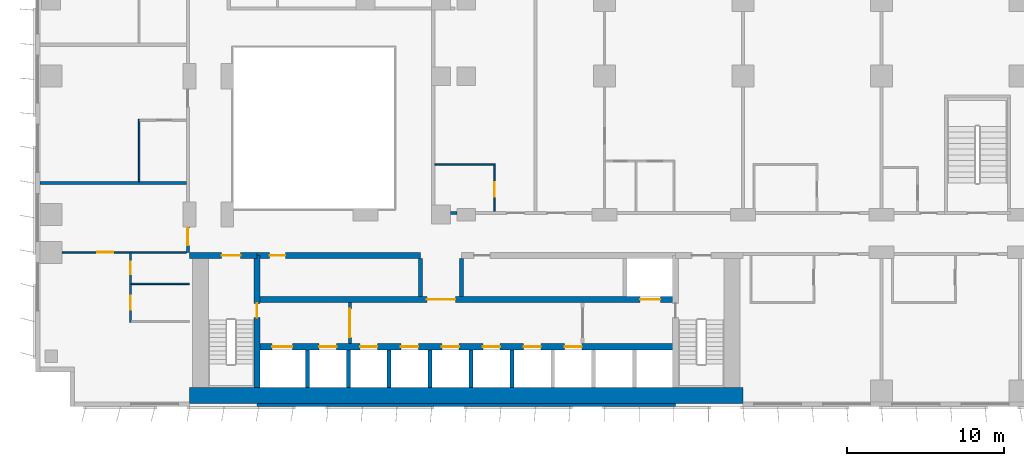
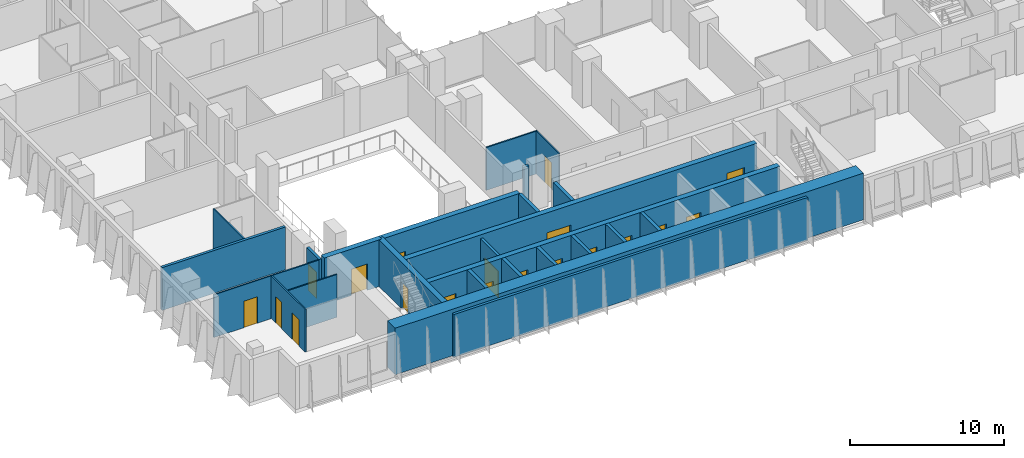
# One storey, part 12 of 24: 25 walls, 19 doors, 19 openings.
"""IFC4 building model written with IfcOpenShell, lengths in metres."""

from ifc_helpers import new_model, si_unit, direction, frame, frame_2d, origin, place, context, subcontext, project, spatial, rectangle, extrude, material, layer, layer_set, type_object, element, fill, save


model = new_model("IFC4")

# Units and contexts
model_context = context("Model", 3, precision=1e-05, world=origin(), true_north=direction((0.0, 1.0)))
body_context = subcontext(model_context, "Body", "Model", "MODEL_VIEW")
ifc_project = project(units=[si_unit("LENGTHUNIT", "METRE"), si_unit("AREAUNIT", "SQUARE_METRE"), si_unit("VOLUMEUNIT", "CUBIC_METRE"), si_unit("PLANEANGLEUNIT", "RADIAN"), si_unit("MASSUNIT", "GRAM", prefix="KILO")], contexts=[model_context])

# Site, building, storey
site_placement = place(None, origin())
site = spatial("IfcSite", under=ifc_project, at=site_placement, CompositionType="ELEMENT")
building_placement = place(site_placement, origin())
building = spatial("IfcBuilding", under=site, at=building_placement, Name="Kemantara Hotel Tower", CompositionType="ELEMENT")
storey_placement = place(building_placement, frame((0.0, 0.0, 45.10009765625)))
storey = spatial("IfcBuildingStorey", under=building, at=storey_placement, Name="L09", CompositionType="ELEMENT", Elevation=45.10009765625)

# Walls
ifc_material_1 = material(Name="Bronze anodised aluminium cladding on insulated steel stud wall", Category="steel")
ifc_layer_1 = layer(ifc_material_1, 0.199951171875)
ifc_layer_set_1 = layer_set([ifc_layer_1], Name="Bronze anodised aluminium cladding on insulated steel stud wall")
wall_type_1 = type_object("IfcWallType", Name="BRONZE METAL-CLAD EXTERNAL WALL 200", PredefinedType="STANDARD", material=ifc_layer_set_1)
wall_1_placement = place(storey_placement, frame((14.10009765625, 0.10009765625, 0.0), z_axis=(0.0, 0.0, 1.0), x_axis=(1.0, 0.0, 0.0)))
element("IfcWall", 1, at=wall_1_placement, inside=storey, type_object=wall_type_1, Name="EXTERNAL WALL L09 T1-R01-2", PredefinedType="STANDARD", context=body_context, shape_type="SweptSolid", body=[
    extrude(rectangle(XDim=26.599853515625, YDim=0.199951171875, at=frame_2d((13.2998046875, 0.0))), origin(), (0.0, 0.0, 1.0), 3.39990234375),
])
ifc_material_2 = material(Name="Concrete fc 70 MPa", Category="concrete")
ifc_layer_2 = layer(ifc_material_2, 1.0)
ifc_layer_set_2 = layer_set([ifc_layer_2], Name="Concrete fc 70 MPa")
wall_type_2 = type_object("IfcWallType", Name="CORE WALL 1000 FC70", PredefinedType="SHEAR", material=ifc_layer_set_2)
wall_2_placement = place(storey_placement, frame((9.800048828125, 0.699951171875, 0.0), z_axis=(0.0, 0.0, 1.0), x_axis=(1.0, 0.0, 0.0)))
element("IfcWall", 2, at=wall_2_placement, inside=storey, type_object=wall_type_2, Name="CORE WALL CW-S", PredefinedType="SHEAR", context=body_context, shape_type="SweptSolid", body=[
    extrude(rectangle(XDim=35.199951171875, YDim=1.0, at=frame_2d((17.60009765625, 0.0))), origin(), (0.0, 0.0, 1.0), 3.699951171875),
])
ifc_layer_3 = layer(ifc_material_2, 0.25)
ifc_layer_set_3 = layer_set([ifc_layer_3], Name="Concrete fc 70 MPa")
wall_type_3 = type_object("IfcWallType", Name="CORE WALL 250 FC70", PredefinedType="SHEAR", material=ifc_layer_set_3)
for number, where, z_axis, x_axis, name in (
    (3, (17.300048828125, 1.199951171875, 0.0), (0.0, 0.0, 1.0), (0.0, 1.0, 0.0), "CORE WALL CW-DS17.3"),
    (4, (19.89990234375, 1.199951171875, 0.0), (0.0, 0.0, 1.0), (0.0, 1.0, 0.0), "CORE WALL CW-DS19.9"),
    (5, (22.5, 1.199951171875, 0.0), (0.0, 0.0, 1.0), (0.0, 1.0, 0.0), "CORE WALL CW-DS22.5"),
    (6, (25.10009765625, 1.199951171875, 0.0), (0.0, 0.0, 1.0), (0.0, 1.0, 0.0), "CORE WALL CW-DS25.1"),
    (7, (27.699951171875, 1.199951171875, 0.0), (0.0, 0.0, 1.0), (0.0, 1.0, 0.0), "CORE WALL CW-DS27.7"),
    (8, (30.300048828125, 1.199951171875, 0.0), (0.0, 0.0, 1.0), (0.0, 1.0, 0.0), "CORE WALL CW-DS30.3"),
):
    element("IfcWall", number, at=place(storey_placement, frame(where, z_axis=z_axis, x_axis=x_axis)), inside=storey, type_object=wall_type_3, Name=name, PredefinedType="SHEAR", context=body_context, shape_type="SweptSolid", body=[
        extrude(rectangle(XDim=2.400146484375, YDim=0.25, at=frame_2d((1.2001953125, 0.0))), origin(), (0.0, 0.0, 1.0), 3.699951171875),
    ])
for number, where, z_axis, x_axis, name in (
    (9, (24.5, 7.0, 0.0), (0.0, 0.0, 1.0), (0.0, 1.0, 0.0), "CORE WALL CW-DN24.5"),
    (10, (27.10009765625, 7.0, 0.0), (0.0, 0.0, 1.0), (0.0, 1.0, 0.0), "CORE WALL CW-DN27.1"),
):
    element("IfcWall", number, at=place(storey_placement, frame(where, z_axis=z_axis, x_axis=x_axis)), inside=storey, type_object=wall_type_3, Name=name, PredefinedType="SHEAR", context=body_context, shape_type="SweptSolid", body=[
        extrude(rectangle(XDim=2.39990234375, YDim=0.25, at=frame_2d((1.199951171875, 0.0))), origin(), (0.0, 0.0, 1.0), 3.699951171875),
    ])

# Wall, opening, door
ifc_layer_4 = layer(ifc_material_2, 0.39990234375)
ifc_layer_set_4 = layer_set([ifc_layer_4], Name="Concrete fc 70 MPa")
wall_type_4 = type_object("IfcWallType", Name="CORE WALL 400 FC70", PredefinedType="SHEAR", material=ifc_layer_set_4)
wall_3_placement = place(storey_placement, frame((9.800048828125, 9.60009765625, 0.0), z_axis=(0.0, 0.0, 1.0), x_axis=(1.0, 0.0, 0.0)))
wall_3 = element("IfcWall", 11, at=wall_3_placement, inside=storey, type_object=wall_type_4, Name="CORE WALL CW-N1", PredefinedType="SHEAR", context=body_context, shape_type="SweptSolid", body=[
    extrude(rectangle(XDim=4.300048828125, YDim=0.39990234375, at=frame_2d((2.14990234375, 0.0))), origin(), (0.0, 0.0, 1.0), 3.699951171875),
])
opening_1_placement = place(wall_3_placement, frame((2.050048828125, 0.0, 0.0)))
opening_1 = element("IfcOpeningElement", 12, at=opening_1_placement, cuts=wall_3, Name="Opening C09-ST1-C", PredefinedType="OPENING", context=body_context, shape_type="SweptSolid", body=[
    extrude(rectangle(XDim=1.199951171875, YDim=2.10009765625, at=frame_2d((0.60009765625, 1.050048828125))), frame((0.0, 0.2099609375, 0.0), z_axis=(0.0, -1.0, 0.0), x_axis=(1.0, 0.0, 0.0)), (0.0, 0.0, 1.0), 0.419921875),
])
ifc_material_3 = material(Name="Steel fire door", Category="steel")
door_type_1 = type_object("IfcDoorType", Name="Fire door FD90 1200 x 2100", OperationType="NOTDEFINED", PredefinedType="DOOR", material=ifc_material_3)
door_1_placement = place(opening_1_placement, frame((1.199951171875, 0.0, 0.0), z_axis=(0.0, 0.0, 1.0), x_axis=(-1.0, 0.0, 0.0)))
door_1 = element("IfcDoor", 13, at=door_1_placement, inside=storey, type_object=door_type_1, Name="Stair ST1 door to corridor", OperationType="SINGLE_SWING_LEFT", OverallHeight=2.10009765625, OverallWidth=1.199951171875, PredefinedType="DOOR", context=body_context, shape_type="SweptSolid", body=[
    extrude(rectangle(XDim=1.199951171875, YDim=2.10009765625, at=frame_2d((0.60009765625, 1.050048828125))), frame((0.0, 0.02490234375, 0.0), z_axis=(0.0, -1.0, 0.0), x_axis=(1.0, 0.0, 0.0)), (0.0, 0.0, 1.0), 0.050048828125),
])
fill(opening_1, door_1)

wall_4_placement = place(storey_placement, frame((14.10009765625, 9.60009765625, 0.0), z_axis=(0.0, 0.0, 1.0), x_axis=(1.0, 0.0, 0.0)))
wall_4 = element("IfcWall", 14, at=wall_4_placement, inside=storey, type_object=wall_type_4, Name="CORE WALL CW-NN1", PredefinedType="SHEAR", context=body_context, shape_type="SweptSolid", body=[
    extrude(rectangle(XDim=10.39990234375, YDim=0.39990234375, at=frame_2d((5.199951171875, 0.0))), origin(), (0.0, 0.0, 1.0), 3.699951171875),
])
opening_2_placement = place(wall_4_placement, frame((0.800048828125, 0.0, 0.0)))
opening_2 = element("IfcOpeningElement", 15, at=opening_2_placement, cuts=wall_4, Name="Opening C09-R-NW1", PredefinedType="OPENING", context=body_context, shape_type="SweptSolid", body=[
    extrude(rectangle(XDim=1.0, YDim=2.10009765625, at=frame_2d((0.5, 1.050048828125))), frame((0.0, 0.2099609375, 0.0), z_axis=(0.0, -1.0, 0.0), x_axis=(1.0, 0.0, 0.0)), (0.0, 0.0, 1.0), 0.419921875),
])
door_type_2 = type_object("IfcDoorType", Name="Fire door FD30S 1000 x 2100", OperationType="NOTDEFINED", PredefinedType="DOOR", material=ifc_material_3)
door_2_placement = place(opening_2_placement, frame((1.0, 0.0, 0.0), z_axis=(0.0, 0.0, 1.0), x_axis=(-1.0, 0.0, 0.0)))
door_2 = element("IfcDoor", 16, at=door_2_placement, inside=storey, type_object=door_type_2, Name="Housekeeping Store door", OperationType="SINGLE_SWING_RIGHT", OverallHeight=2.10009765625, OverallWidth=1.0, PredefinedType="DOOR", context=body_context, shape_type="SweptSolid", body=[
    extrude(rectangle(XDim=1.0, YDim=2.10009765625, at=frame_2d((0.5, 1.050048828125))), frame((0.0, 0.02490234375, 0.0), z_axis=(0.0, -1.0, 0.0), x_axis=(1.0, 0.0, 0.0)), (0.0, 0.0, 1.0), 0.050048828125),
])
fill(opening_2, door_2)

# Wall, openings, doors
wall_5_placement = place(storey_placement, frame((14.10009765625, 3.800048828125, 0.0), z_axis=(0.0, 0.0, 1.0), x_axis=(1.0, 0.0, 0.0)))
wall_5 = element("IfcWall", 17, at=wall_5_placement, inside=storey, type_object=wall_type_4, Name="CORE WALL CW-L1", PredefinedType="SHEAR", context=body_context, shape_type="SweptSolid", body=[
    extrude(rectangle(XDim=26.599853515625, YDim=0.39990234375, at=frame_2d((13.2998046875, 0.0))), origin(), (0.0, 0.0, 1.0), 3.699951171875),
])
opening_3_placement = place(wall_5_placement, frame((0.949951171875, 0.0, 0.0)))
opening_3 = element("IfcOpeningElement", 18, at=opening_3_placement, cuts=wall_5, Name="Opening C09-LD-FF1", PredefinedType="OPENING", context=body_context, shape_type="SweptSolid", body=[
    extrude(rectangle(XDim=1.300048828125, YDim=2.10009765625, at=frame_2d((0.64990234375, 1.050048828125))), frame((0.0, 0.2099609375, 0.0), z_axis=(0.0, -1.0, 0.0), x_axis=(1.0, 0.0, 0.0)), (0.0, 0.0, 1.0), 0.419921875),
])
opening_4_placement = place(wall_5_placement, frame((3.949951171875, 0.0, 0.0)))
opening_4 = element("IfcOpeningElement", 19, at=opening_4_placement, cuts=wall_5, Name="Opening C09-LD-SV1", PredefinedType="OPENING", context=body_context, shape_type="SweptSolid", body=[
    extrude(rectangle(XDim=1.10009765625, YDim=2.10009765625, at=frame_2d((0.550048828125, 1.050048828125))), frame((0.0, 0.2099609375, 0.0), z_axis=(0.0, -1.0, 0.0), x_axis=(1.0, 0.0, 0.0)), (0.0, 0.0, 1.0), 0.419921875),
])
opening_5_placement = place(wall_5_placement, frame((6.550048828125, 0.0, 0.0)))
opening_5 = element("IfcOpeningElement", 20, at=opening_5_placement, cuts=wall_5, Name="Opening C09-LD-SV2", PredefinedType="OPENING", context=body_context, shape_type="SweptSolid", body=[
    extrude(rectangle(XDim=1.10009765625, YDim=2.10009765625, at=frame_2d((0.550048828125, 1.050048828125))), frame((0.0, 0.2099609375, 0.0), z_axis=(0.0, -1.0, 0.0), x_axis=(1.0, 0.0, 0.0)), (0.0, 0.0, 1.0), 0.419921875),
])
opening_6_placement = place(wall_5_placement, frame((9.14990234375, 0.0, 0.0)))
opening_6 = element("IfcOpeningElement", 21, at=opening_6_placement, cuts=wall_5, Name="Opening C09-LD-SV3", PredefinedType="OPENING", context=body_context, shape_type="SweptSolid", body=[
    extrude(rectangle(XDim=1.10009765625, YDim=2.10009765625, at=frame_2d((0.550048828125, 1.050048828125))), frame((0.0, 0.2099609375, 0.0), z_axis=(0.0, -1.0, 0.0), x_axis=(1.0, 0.0, 0.0)), (0.0, 0.0, 1.0), 0.419921875),
])
opening_7_placement = place(wall_5_placement, frame((11.75, 0.0, 0.0)))
opening_7 = element("IfcOpeningElement", 22, at=opening_7_placement, cuts=wall_5, Name="Opening C09-LD-LR1", PredefinedType="OPENING", context=body_context, shape_type="SweptSolid", body=[
    extrude(rectangle(XDim=1.10009765625, YDim=2.10009765625, at=frame_2d((0.550048828125, 1.050048828125))), frame((0.0, 0.2099609375, 0.0), z_axis=(0.0, -1.0, 0.0), x_axis=(1.0, 0.0, 0.0)), (0.0, 0.0, 1.0), 0.419921875),
])
opening_8_placement = place(wall_5_placement, frame((14.35009765625, 0.0, 0.0)))
opening_8 = element("IfcOpeningElement", 23, at=opening_8_placement, cuts=wall_5, Name="Opening C09-LD-LR2", PredefinedType="OPENING", context=body_context, shape_type="SweptSolid", body=[
    extrude(rectangle(XDim=1.10009765625, YDim=2.10009765625, at=frame_2d((0.550048828125, 1.050048828125))), frame((0.0, 0.2099609375, 0.0), z_axis=(0.0, -1.0, 0.0), x_axis=(1.0, 0.0, 0.0)), (0.0, 0.0, 1.0), 0.419921875),
])
opening_9_placement = place(wall_5_placement, frame((16.949951171875, 0.0, 0.0)))
opening_9 = element("IfcOpeningElement", 24, at=opening_9_placement, cuts=wall_5, Name="Opening C09-LD-LR3", PredefinedType="OPENING", context=body_context, shape_type="SweptSolid", body=[
    extrude(rectangle(XDim=1.10009765625, YDim=2.10009765625, at=frame_2d((0.550048828125, 1.050048828125))), frame((0.0, 0.2099609375, 0.0), z_axis=(0.0, -1.0, 0.0), x_axis=(1.0, 0.0, 0.0)), (0.0, 0.0, 1.0), 0.419921875),
])
opening_10_placement = place(wall_5_placement, frame((19.550048828125, 0.0, 0.0)))
opening_10 = element("IfcOpeningElement", 25, at=opening_10_placement, cuts=wall_5, Name="Opening C09-LD-LR4", PredefinedType="OPENING", context=body_context, shape_type="SweptSolid", body=[
    extrude(rectangle(XDim=1.10009765625, YDim=2.10009765625, at=frame_2d((0.550048828125, 1.050048828125))), frame((0.0, 0.2099609375, 0.0), z_axis=(0.0, -1.0, 0.0), x_axis=(1.0, 0.0, 0.0)), (0.0, 0.0, 1.0), 0.419921875),
])
ifc_material_4 = material(Name="Stainless steel lift door", Category="steel")
door_type_3 = type_object("IfcDoorType", Name="Lift landing door 1100 x 2100 FD60", OperationType="DOUBLE_DOOR_SLIDING", PredefinedType="DOOR", material=ifc_material_4)
door_3_placement = place(opening_4_placement, origin())
door_3 = element("IfcDoor", 26, at=door_3_placement, inside=storey, type_object=door_type_3, Name="Lift SV1 landing door", OperationType="DOUBLE_DOOR_SLIDING", OverallHeight=2.10009765625, OverallWidth=1.10009765625, PredefinedType="DOOR", context=body_context, shape_type="SweptSolid", body=[
    extrude(rectangle(XDim=1.10009765625, YDim=2.10009765625, at=frame_2d((0.550048828125, 1.050048828125))), frame((0.0, 0.02490234375, 0.0), z_axis=(0.0, -1.0, 0.0), x_axis=(1.0, 0.0, 0.0)), (0.0, 0.0, 1.0), 0.050048828125),
])
fill(opening_4, door_3)
door_4_placement = place(opening_5_placement, origin())
door_4 = element("IfcDoor", 27, at=door_4_placement, inside=storey, type_object=door_type_3, Name="Lift SV2 landing door", OperationType="DOUBLE_DOOR_SLIDING", OverallHeight=2.10009765625, OverallWidth=1.10009765625, PredefinedType="DOOR", context=body_context, shape_type="SweptSolid", body=[
    extrude(rectangle(XDim=1.10009765625, YDim=2.10009765625, at=frame_2d((0.550048828125, 1.050048828125))), frame((0.0, 0.02490234375, 0.0), z_axis=(0.0, -1.0, 0.0), x_axis=(1.0, 0.0, 0.0)), (0.0, 0.0, 1.0), 0.050048828125),
])
fill(opening_5, door_4)
door_5_placement = place(opening_6_placement, origin())
door_5 = element("IfcDoor", 28, at=door_5_placement, inside=storey, type_object=door_type_3, Name="Lift SV3 landing door", OperationType="DOUBLE_DOOR_SLIDING", OverallHeight=2.10009765625, OverallWidth=1.10009765625, PredefinedType="DOOR", context=body_context, shape_type="SweptSolid", body=[
    extrude(rectangle(XDim=1.10009765625, YDim=2.10009765625, at=frame_2d((0.550048828125, 1.050048828125))), frame((0.0, 0.02490234375, 0.0), z_axis=(0.0, -1.0, 0.0), x_axis=(1.0, 0.0, 0.0)), (0.0, 0.0, 1.0), 0.050048828125),
])
fill(opening_6, door_5)
door_6_placement = place(opening_7_placement, origin())
door_6 = element("IfcDoor", 29, at=door_6_placement, inside=storey, type_object=door_type_3, Name="Lift LR1 landing door", OperationType="DOUBLE_DOOR_SLIDING", OverallHeight=2.10009765625, OverallWidth=1.10009765625, PredefinedType="DOOR", context=body_context, shape_type="SweptSolid", body=[
    extrude(rectangle(XDim=1.10009765625, YDim=2.10009765625, at=frame_2d((0.550048828125, 1.050048828125))), frame((0.0, 0.02490234375, 0.0), z_axis=(0.0, -1.0, 0.0), x_axis=(1.0, 0.0, 0.0)), (0.0, 0.0, 1.0), 0.050048828125),
])
fill(opening_7, door_6)
door_7_placement = place(opening_8_placement, origin())
door_7 = element("IfcDoor", 30, at=door_7_placement, inside=storey, type_object=door_type_3, Name="Lift LR2 landing door", OperationType="DOUBLE_DOOR_SLIDING", OverallHeight=2.10009765625, OverallWidth=1.10009765625, PredefinedType="DOOR", context=body_context, shape_type="SweptSolid", body=[
    extrude(rectangle(XDim=1.10009765625, YDim=2.10009765625, at=frame_2d((0.550048828125, 1.050048828125))), frame((0.0, 0.02490234375, 0.0), z_axis=(0.0, -1.0, 0.0), x_axis=(1.0, 0.0, 0.0)), (0.0, 0.0, 1.0), 0.050048828125),
])
fill(opening_8, door_7)
door_8_placement = place(opening_9_placement, origin())
door_8 = element("IfcDoor", 31, at=door_8_placement, inside=storey, type_object=door_type_3, Name="Lift LR3 landing door", OperationType="DOUBLE_DOOR_SLIDING", OverallHeight=2.10009765625, OverallWidth=1.10009765625, PredefinedType="DOOR", context=body_context, shape_type="SweptSolid", body=[
    extrude(rectangle(XDim=1.10009765625, YDim=2.10009765625, at=frame_2d((0.550048828125, 1.050048828125))), frame((0.0, 0.02490234375, 0.0), z_axis=(0.0, -1.0, 0.0), x_axis=(1.0, 0.0, 0.0)), (0.0, 0.0, 1.0), 0.050048828125),
])
fill(opening_9, door_8)
door_9_placement = place(opening_10_placement, origin())
door_9 = element("IfcDoor", 32, at=door_9_placement, inside=storey, type_object=door_type_3, Name="Lift LR4 landing door", OperationType="DOUBLE_DOOR_SLIDING", OverallHeight=2.10009765625, OverallWidth=1.10009765625, PredefinedType="DOOR", context=body_context, shape_type="SweptSolid", body=[
    extrude(rectangle(XDim=1.10009765625, YDim=2.10009765625, at=frame_2d((0.550048828125, 1.050048828125))), frame((0.0, 0.02490234375, 0.0), z_axis=(0.0, -1.0, 0.0), x_axis=(1.0, 0.0, 0.0)), (0.0, 0.0, 1.0), 0.050048828125),
])
fill(opening_10, door_9)
door_type_4 = type_object("IfcDoorType", Name="Lift landing door 1300 x 2100 FD90", OperationType="DOUBLE_DOOR_SLIDING", PredefinedType="DOOR", material=ifc_material_4)
door_10_placement = place(opening_3_placement, origin())
door_10 = element("IfcDoor", 33, at=door_10_placement, inside=storey, type_object=door_type_4, Name="Lift FF1 landing door", OperationType="DOUBLE_DOOR_SLIDING", OverallHeight=2.10009765625, OverallWidth=1.300048828125, PredefinedType="DOOR", context=body_context, shape_type="SweptSolid", body=[
    extrude(rectangle(XDim=1.300048828125, YDim=2.10009765625, at=frame_2d((0.64990234375, 1.050048828125))), frame((0.0, 0.02490234375, 0.0), z_axis=(0.0, -1.0, 0.0), x_axis=(1.0, 0.0, 0.0)), (0.0, 0.0, 1.0), 0.050048828125),
])
fill(opening_3, door_10)

wall_6_placement = place(storey_placement, frame((14.10009765625, 6.800048828125, 0.0), z_axis=(0.0, 0.0, 1.0), x_axis=(1.0, 0.0, 0.0)))
wall_6 = element("IfcWall", 34, at=wall_6_placement, inside=storey, type_object=wall_type_4, Name="CORE WALL CW-L2", PredefinedType="SHEAR", context=body_context, shape_type="SweptSolid", body=[
    extrude(rectangle(XDim=26.599853515625, YDim=0.39990234375, at=frame_2d((13.2998046875, 0.0))), origin(), (0.0, 0.0, 1.0), 3.699951171875),
])
opening_11_placement = place(wall_6_placement, frame((10.800048828125, 0.0, 0.0)))
opening_11 = element("IfcOpeningElement", 35, at=opening_11_placement, cuts=wall_6, Name="Opening C09-VL", PredefinedType="OPENING", context=body_context, shape_type="SweptSolid", body=[
    extrude(rectangle(XDim=1.800048828125, YDim=2.10009765625, at=frame_2d((0.89990234375, 1.050048828125))), frame((0.0, 0.2099609375, 0.0), z_axis=(0.0, -1.0, 0.0), x_axis=(1.0, 0.0, 0.0)), (0.0, 0.0, 1.0), 0.419921875),
])
opening_12_placement = place(wall_6_placement, frame((24.35009765625, 0.0, 0.0)))
opening_12 = element("IfcOpeningElement", 36, at=opening_12_placement, cuts=wall_6, Name="Opening C09-LD-FF2", PredefinedType="OPENING", context=body_context, shape_type="SweptSolid", body=[
    extrude(rectangle(XDim=1.300048828125, YDim=2.10009765625, at=frame_2d((0.64990234375, 1.050048828125))), frame((0.0, 0.2099609375, 0.0), z_axis=(0.0, -1.0, 0.0), x_axis=(1.0, 0.0, 0.0)), (0.0, 0.0, 1.0), 0.419921875),
])
door_type_5 = type_object("IfcDoorType", Name="Fire door pair FD60 1800 x 2100", OperationType="DOUBLE_DOOR_SINGLE_SWING", PredefinedType="DOOR", material=ifc_material_3)
door_11_placement = place(opening_11_placement, frame((1.800048828125, 0.0, 0.0), z_axis=(0.0, 0.0, 1.0), x_axis=(-1.0, 0.0, 0.0)))
door_11 = element("IfcDoor", 37, at=door_11_placement, inside=storey, type_object=door_type_5, Name="Lift lobby entry door", OperationType="DOUBLE_DOOR_SINGLE_SWING", OverallHeight=2.10009765625, OverallWidth=1.800048828125, PredefinedType="DOOR", context=body_context, shape_type="SweptSolid", body=[
    extrude(rectangle(XDim=1.800048828125, YDim=2.10009765625, at=frame_2d((0.89990234375, 1.050048828125))), frame((0.0, 0.02490234375, 0.0), z_axis=(0.0, -1.0, 0.0), x_axis=(1.0, 0.0, 0.0)), (0.0, 0.0, 1.0), 0.050048828125),
])
fill(opening_11, door_11)
door_12_placement = place(opening_12_placement, origin())
door_12 = element("IfcDoor", 38, at=door_12_placement, inside=storey, type_object=door_type_4, Name="Lift FF2 landing door", OperationType="DOUBLE_DOOR_SLIDING", OverallHeight=2.10009765625, OverallWidth=1.300048828125, PredefinedType="DOOR", context=body_context, shape_type="SweptSolid", body=[
    extrude(rectangle(XDim=1.300048828125, YDim=2.10009765625, at=frame_2d((0.64990234375, 1.050048828125))), frame((0.0, 0.02490234375, 0.0), z_axis=(0.0, -1.0, 0.0), x_axis=(1.0, 0.0, 0.0)), (0.0, 0.0, 1.0), 0.050048828125),
])
fill(opening_12, door_12)

# Wall, opening, door
wall_7_placement = place(storey_placement, frame((14.10009765625, 1.199951171875, 0.0), z_axis=(0.0, 0.0, 1.0), x_axis=(0.0, 1.0, 0.0)))
wall_7 = element("IfcWall", 39, at=wall_7_placement, inside=storey, type_object=wall_type_4, Name="CORE WALL CW-ST1E", PredefinedType="SHEAR", context=body_context, shape_type="SweptSolid", body=[
    extrude(rectangle(XDim=8.400146484375, YDim=0.39990234375, at=frame_2d((4.2001953125, 0.0))), origin(), (0.0, 0.0, 1.0), 3.699951171875),
])
opening_13_placement = place(wall_7_placement, frame((4.449951171875, 0.0, 0.0)))
opening_13 = element("IfcOpeningElement", 40, at=opening_13_placement, cuts=wall_7, Name="Opening C09-ST1-F", PredefinedType="OPENING", context=body_context, shape_type="SweptSolid", body=[
    extrude(rectangle(XDim=0.89990234375, YDim=2.10009765625, at=frame_2d((0.449951171875, 1.050048828125))), frame((0.0, 0.2099609375, 0.0), z_axis=(0.0, -1.0, 0.0), x_axis=(1.0, 0.0, 0.0)), (0.0, 0.0, 1.0), 0.419921875),
])
door_type_6 = type_object("IfcDoorType", Name="Fire door FD90 900 x 2100", OperationType="NOTDEFINED", PredefinedType="DOOR", material=ifc_material_3)
door_13_placement = place(opening_13_placement, origin())
door_13 = element("IfcDoor", 41, at=door_13_placement, inside=storey, type_object=door_type_6, Name="Stair ST1 door to firefighting lobby", OperationType="SINGLE_SWING_RIGHT", OverallHeight=2.10009765625, OverallWidth=0.89990234375, PredefinedType="DOOR", context=body_context, shape_type="SweptSolid", body=[
    extrude(rectangle(XDim=0.89990234375, YDim=2.10009765625, at=frame_2d((0.449951171875, 1.050048828125))), frame((0.0, 0.02490234375, 0.0), z_axis=(0.0, -1.0, 0.0), x_axis=(1.0, 0.0, 0.0)), (0.0, 0.0, 1.0), 0.050048828125),
])
fill(opening_13, door_13)

# Wall
ifc_material_5 = material(Name="Gypsum board partition, steel studs and mineral wool, 200 mm", Category="steel")
ifc_layer_5 = layer(ifc_material_5, 0.199951171875)
ifc_layer_set_5 = layer_set([ifc_layer_5], Name="Gypsum board partition, steel studs and mineral wool, 200 mm")
wall_type_5 = type_object("IfcWallType", Name="CORRIDOR WALL 200", PredefinedType="PARTITIONING", material=ifc_layer_set_5)
wall_8_placement = place(storey_placement, frame((26.400146484375, 12.300048828125, 0.0), z_axis=(0.0, 0.0, 1.0), x_axis=(1.0, 0.0, 0.0)))
element("IfcWall", 42, at=wall_8_placement, inside=storey, type_object=wall_type_5, Name="CORRIDOR WALL 200 011", PredefinedType="PARTITIONING", context=body_context, shape_type="SweptSolid", body=[
    extrude(rectangle(XDim=0.399658203125, YDim=0.199951171875, at=frame_2d((0.19970703125, 0.0))), origin(), (0.0, 0.0, 1.0), 3.39990234375),
])

# Wall, opening, door
wall_9_placement = place(storey_placement, frame((9.699951171875, 9.800048828125, 0.0), z_axis=(0.0, 0.0, 1.0), x_axis=(0.0, 1.0, 0.0)))
wall_9 = element("IfcWall", 43, at=wall_9_placement, inside=storey, type_object=wall_type_5, Name="CORRIDOR WALL 200 024", PredefinedType="PARTITIONING", context=body_context, shape_type="SweptSolid", body=[
    extrude(rectangle(XDim=1.599853515625, YDim=0.199951171875, at=frame_2d((0.7998046875, 0.0))), origin(), (0.0, 0.0, 1.0), 3.39990234375),
])
opening_14_placement = place(wall_9_placement, frame((0.449951171875, 0.0, 0.0)))
opening_14 = element("IfcOpeningElement", 44, at=opening_14_placement, cuts=wall_9, Name="Opening F02-025", PredefinedType="OPENING", context=body_context, shape_type="SweptSolid", body=[
    extrude(rectangle(XDim=1.10009765625, YDim=2.10009765625, at=frame_2d((0.550048828125, 1.050048828125))), frame((0.0, 0.10986328125, 0.0), z_axis=(0.0, -1.0, 0.0), x_axis=(1.0, 0.0, 0.0)), (0.0, 0.0, 1.0), 0.219970703125),
])
ifc_material_6 = material(Name="Hardwood veneer door leaf with steel frame", Category="steel")
door_type_7 = type_object("IfcDoorType", Name="SUITE ENTRANCE DOOR 1100 X 2100 FD30S", OperationType="NOTDEFINED", PredefinedType="DOOR", material=ifc_material_6)
door_14_placement = place(opening_14_placement, origin())
door_14 = element("IfcDoor", 45, at=door_14_placement, inside=storey, type_object=door_type_7, Name="SUITE ENTRANCE DOOR F02-025", OperationType="SINGLE_SWING_RIGHT", OverallHeight=2.10009765625, OverallWidth=1.10009765625, PredefinedType="DOOR", context=body_context, shape_type="SweptSolid", body=[
    extrude(rectangle(XDim=1.10009765625, YDim=2.10009765625, at=frame_2d((0.550048828125, 1.050048828125))), frame((0.0, 0.02490234375, 0.0), z_axis=(0.0, -1.0, 0.0), x_axis=(1.0, 0.0, 0.0)), (0.0, 0.0, 1.0), 0.050048828125),
])
fill(opening_14, door_14)

# Wall
ifc_layer_6 = layer(ifc_material_5, 0.199951171875)
ifc_layer_set_6 = layer_set([ifc_layer_6], Name="Gypsum board partition, steel studs and mineral wool, 200 mm")
wall_type_6 = type_object("IfcWallType", Name="GUEST ROOM PARTY WALL 200", PredefinedType="PARTITIONING", material=ifc_layer_set_6)
wall_10_placement = place(storey_placement, frame((0.31005859375, 14.199951171875, 0.0), z_axis=(0.0, 0.0, 1.0), x_axis=(1.0, 0.0, 0.0)))
element("IfcWall", 46, at=wall_10_placement, inside=storey, type_object=wall_type_6, Name="GUEST ROOM PARTY WALL 200 033", PredefinedType="PARTITIONING", context=body_context, shape_type="SweptSolid", body=[
    extrude(rectangle(XDim=9.2900390625, YDim=0.199951171875, at=frame_2d((4.64501953125, 0.0))), origin(), (0.0, 0.0, 1.0), 3.39990234375),
])

# Wall, opening, door
ifc_material_7 = material(Name="Gypsum board shaft wall")
ifc_layer_7 = layer(ifc_material_7, 0.199951171875)
ifc_layer_set_7 = layer_set([ifc_layer_7], Name="Gypsum board shaft wall")
wall_type_7 = type_object("IfcWallType", Name="Gypsum board shaft wall 200 mm", PredefinedType="PARTITIONING", material=ifc_layer_set_7)
wall_11_placement = place(storey_placement, frame((20.0, 4.0, 0.0), z_axis=(0.0, 0.0, 1.0), x_axis=(0.0, 1.0, 0.0)))
wall_11 = element("IfcWall", 47, at=wall_11_placement, inside=storey, type_object=wall_type_7, Name="Firefighting lobby partition west", PredefinedType="PARTITIONING", context=body_context, shape_type="SweptSolid", body=[
    extrude(rectangle(XDim=2.60009765625, YDim=0.199951171875, at=frame_2d((1.300048828125, 0.0))), origin(), (0.0, 0.0, 1.0), 3.39990234375),
])
opening_15_placement = place(wall_11_placement, frame((0.39990234375, 0.0, 0.0)))
opening_15 = element("IfcOpeningElement", 48, at=opening_15_placement, cuts=wall_11, Name="Opening C09-FFW", PredefinedType="OPENING", context=body_context, shape_type="SweptSolid", body=[
    extrude(rectangle(XDim=1.800048828125, YDim=2.10009765625, at=frame_2d((0.89990234375, 1.050048828125))), frame((0.0, 0.10986328125, 0.0), z_axis=(0.0, -1.0, 0.0), x_axis=(1.0, 0.0, 0.0)), (0.0, 0.0, 1.0), 0.219970703125),
])
door_15_placement = place(opening_15_placement, origin())
door_15 = element("IfcDoor", 49, at=door_15_placement, inside=storey, type_object=door_type_5, Name="Firefighting lobby door west", OperationType="DOUBLE_DOOR_SINGLE_SWING", OverallHeight=2.10009765625, OverallWidth=1.800048828125, PredefinedType="DOOR", context=body_context, shape_type="SweptSolid", body=[
    extrude(rectangle(XDim=1.800048828125, YDim=2.10009765625, at=frame_2d((0.89990234375, 1.050048828125))), frame((0.0, 0.02490234375, 0.0), z_axis=(0.0, -1.0, 0.0), x_axis=(1.0, 0.0, 0.0)), (0.0, 0.0, 1.0), 0.050048828125),
])
fill(opening_15, door_15)

# Wall
ifc_material_8 = material(Name="Gypsum board partition on steel studs, 100 mm", Category="steel")
ifc_layer_8 = layer(ifc_material_8, 0.10009765625)
ifc_layer_set_8 = layer_set([ifc_layer_8], Name="Gypsum board partition on steel studs, 100 mm")
wall_type_8 = type_object("IfcWallType", Name="ROOM PARTITION 100", PredefinedType="PARTITIONING", material=ifc_layer_set_8)
wall_12_placement = place(storey_placement, frame((25.39990234375, 15.39990234375, 0.0), z_axis=(0.0, 0.0, 1.0), x_axis=(1.0, 0.0, 0.0)))
element("IfcWall", 50, at=wall_12_placement, inside=storey, type_object=wall_type_8, Name="ROOM PARTITION 100 069", PredefinedType="PARTITIONING", context=body_context, shape_type="SweptSolid", body=[
    extrude(rectangle(XDim=3.85009765625, YDim=0.10009765625, at=frame_2d((1.925048828125, 0.0))), origin(), (0.0, 0.0, 1.0), 3.39990234375),
])

# Wall, opening, door
wall_13_placement = place(storey_placement, frame((29.199951171875, 12.39990234375, 0.0), z_axis=(0.0, 0.0, 1.0), x_axis=(0.0, 1.0, 0.0)))
wall_13 = element("IfcWall", 51, at=wall_13_placement, inside=storey, type_object=wall_type_8, Name="ROOM PARTITION 100 072", PredefinedType="PARTITIONING", context=body_context, shape_type="SweptSolid", body=[
    extrude(rectangle(XDim=2.9501953125, YDim=0.10009765625, at=frame_2d((1.47509765625, 0.0))), origin(), (0.0, 0.0, 1.0), 3.39990234375),
])
opening_16_placement = place(wall_13_placement, frame((0.949951171875, 0.0, 0.0)))
opening_16 = element("IfcOpeningElement", 52, at=opening_16_placement, cuts=wall_13, Name="Opening F02-012", PredefinedType="OPENING", context=body_context, shape_type="SweptSolid", body=[
    extrude(rectangle(XDim=0.89990234375, YDim=2.10009765625, at=frame_2d((0.449951171875, 1.050048828125))), frame((0.0, 0.06005859375, 0.0), z_axis=(0.0, -1.0, 0.0), x_axis=(1.0, 0.0, 0.0)), (0.0, 0.0, 1.0), 0.1201171875),
])
door_type_8 = type_object("IfcDoorType", Name="BATHROOM DOOR 900 X 2100", OperationType="NOTDEFINED", PredefinedType="DOOR", material=ifc_material_6)
door_16_placement = place(opening_16_placement, origin())
door_16 = element("IfcDoor", 53, at=door_16_placement, inside=storey, type_object=door_type_8, Name="BATHROOM DOOR F02-012", OperationType="SINGLE_SWING_LEFT", OverallHeight=2.10009765625, OverallWidth=0.89990234375, PredefinedType="DOOR", context=body_context, shape_type="SweptSolid", body=[
    extrude(rectangle(XDim=0.89990234375, YDim=2.10009765625, at=frame_2d((0.449951171875, 1.050048828125))), frame((0.0, 0.02490234375, 0.0), z_axis=(0.0, -1.0, 0.0), x_axis=(1.0, 0.0, 0.0)), (0.0, 0.0, 1.0), 0.050048828125),
])
fill(opening_16, door_16)

# Wall, openings, doors
wall_14_placement = place(storey_placement, frame((6.050048828125, 9.75, 0.0), z_axis=(0.0, 0.0, 1.0), x_axis=(0.0, -1.0, 0.0)))
wall_14 = element("IfcWall", 54, at=wall_14_placement, inside=storey, type_object=wall_type_8, Name="ROOM PARTITION 100 086", PredefinedType="PARTITIONING", context=body_context, shape_type="SweptSolid", body=[
    extrude(rectangle(XDim=4.39990234375, YDim=0.10009765625, at=frame_2d((2.199951171875, 0.0))), origin(), (0.0, 0.0, 1.0), 3.39990234375),
])
opening_17_placement = place(wall_14_placement, frame((2.699951171875, 0.0, 0.0)))
opening_17 = element("IfcOpeningElement", 55, at=opening_17_placement, cuts=wall_14, Name="Opening F02-027", PredefinedType="OPENING", context=body_context, shape_type="SweptSolid", body=[
    extrude(rectangle(XDim=0.89990234375, YDim=2.10009765625, at=frame_2d((0.449951171875, 1.050048828125))), frame((0.0, 0.06005859375, 0.0), z_axis=(0.0, -1.0, 0.0), x_axis=(1.0, 0.0, 0.0)), (0.0, 0.0, 1.0), 0.1201171875),
])
opening_18_placement = place(wall_14_placement, frame((0.550048828125, 0.0, 0.0)))
opening_18 = element("IfcOpeningElement", 56, at=opening_18_placement, cuts=wall_14, Name="Opening F02-028", PredefinedType="OPENING", context=body_context, shape_type="SweptSolid", body=[
    extrude(rectangle(XDim=0.800048828125, YDim=2.10009765625, at=frame_2d((0.39990234375, 1.050048828125))), frame((0.0, 0.06005859375, 0.0), z_axis=(0.0, -1.0, 0.0), x_axis=(1.0, 0.0, 0.0)), (0.0, 0.0, 1.0), 0.1201171875),
])
door_17_placement = place(opening_17_placement, origin())
door_17 = element("IfcDoor", 57, at=door_17_placement, inside=storey, type_object=door_type_8, Name="BATHROOM DOOR F02-027", OperationType="SINGLE_SWING_LEFT", OverallHeight=2.10009765625, OverallWidth=0.89990234375, PredefinedType="DOOR", context=body_context, shape_type="SweptSolid", body=[
    extrude(rectangle(XDim=0.89990234375, YDim=2.10009765625, at=frame_2d((0.449951171875, 1.050048828125))), frame((0.0, 0.02490234375, 0.0), z_axis=(0.0, -1.0, 0.0), x_axis=(1.0, 0.0, 0.0)), (0.0, 0.0, 1.0), 0.050048828125),
])
fill(opening_17, door_17)
door_type_9 = type_object("IfcDoorType", Name="WARDROBE DOOR 800 X 2100", OperationType="NOTDEFINED", PredefinedType="DOOR", material=ifc_material_6)
door_18_placement = place(opening_18_placement, origin())
door_18 = element("IfcDoor", 58, at=door_18_placement, inside=storey, type_object=door_type_9, Name="WARDROBE DOOR F02-028", OperationType="SINGLE_SWING_LEFT", OverallHeight=2.10009765625, OverallWidth=0.800048828125, PredefinedType="DOOR", context=body_context, shape_type="SweptSolid", body=[
    extrude(rectangle(XDim=0.800048828125, YDim=2.10009765625, at=frame_2d((0.39990234375, 1.050048828125))), frame((0.0, 0.02490234375, 0.0), z_axis=(0.0, -1.0, 0.0), x_axis=(1.0, 0.0, 0.0)), (0.0, 0.0, 1.0), 0.050048828125),
])
fill(opening_18, door_18)

# Wall, opening, door
wall_15_placement = place(storey_placement, frame((9.60009765625, 9.800048828125, 0.0), z_axis=(0.0, 0.0, 1.0), x_axis=(-1.0, 0.0, 0.0)))
wall_15 = element("IfcWall", 59, at=wall_15_placement, inside=storey, type_object=wall_type_8, Name="ROOM PARTITION 100 088", PredefinedType="PARTITIONING", context=body_context, shape_type="SweptSolid", body=[
    extrude(rectangle(XDim=7.89990234375, YDim=0.10009765625, at=frame_2d((3.949951171875, 0.0))), origin(), (0.0, 0.0, 1.0), 3.39990234375),
])
opening_19_placement = place(wall_15_placement, frame((4.64990234375, 0.0, 0.0)))
opening_19 = element("IfcOpeningElement", 60, at=opening_19_placement, cuts=wall_15, Name="Opening F02-026", PredefinedType="OPENING", context=body_context, shape_type="SweptSolid", body=[
    extrude(rectangle(XDim=1.0, YDim=2.10009765625, at=frame_2d((0.5, 1.050048828125))), frame((0.0, 0.06005859375, 0.0), z_axis=(0.0, -1.0, 0.0), x_axis=(1.0, 0.0, 0.0)), (0.0, 0.0, 1.0), 0.1201171875),
])
door_type_10 = type_object("IfcDoorType", Name="INTERNAL DOOR 1000 X 2100", OperationType="NOTDEFINED", PredefinedType="DOOR", material=ifc_material_6)
door_19_placement = place(opening_19_placement, origin())
door_19 = element("IfcDoor", 61, at=door_19_placement, inside=storey, type_object=door_type_10, Name="INTERNAL DOOR F02-026", OperationType="SINGLE_SWING_LEFT", OverallHeight=2.10009765625, OverallWidth=1.0, PredefinedType="DOOR", context=body_context, shape_type="SweptSolid", body=[
    extrude(rectangle(XDim=1.0, YDim=2.10009765625, at=frame_2d((0.5, 1.050048828125))), frame((0.0, 0.02490234375, 0.0), z_axis=(0.0, -1.0, 0.0), x_axis=(1.0, 0.0, 0.0)), (0.0, 0.0, 1.0), 0.050048828125),
])
fill(opening_19, door_19)

# Walls
wall_16_placement = place(storey_placement, frame((6.10009765625, 7.800048828125, 0.0), z_axis=(0.0, 0.0, 1.0), x_axis=(1.0, 0.0, 0.0)))
element("IfcWall", 62, at=wall_16_placement, inside=storey, type_object=wall_type_8, Name="ROOM PARTITION 100 090", PredefinedType="PARTITIONING", context=body_context, shape_type="SweptSolid", body=[
    extrude(rectangle(XDim=3.69970703125, YDim=0.10009765625, at=frame_2d((1.849853515625, 0.0))), origin(), (0.0, 0.0, 1.0), 3.39990234375),
])
wall_17_placement = place(storey_placement, frame((6.60009765625, 14.300048828125, 0.0), z_axis=(0.0, 0.0, 1.0), x_axis=(0.0, 1.0, 0.0)))
element("IfcWall", 63, at=wall_17_placement, inside=storey, type_object=wall_type_8, Name="ROOM PARTITION 100 091", PredefinedType="PARTITIONING", context=body_context, shape_type="SweptSolid", body=[
    extrude(rectangle(XDim=3.949951171875, YDim=0.10009765625, at=frame_2d((1.97509765625, 0.0))), origin(), (0.0, 0.0, 1.0), 3.39990234375),
])

save(model, "model.ifc")
